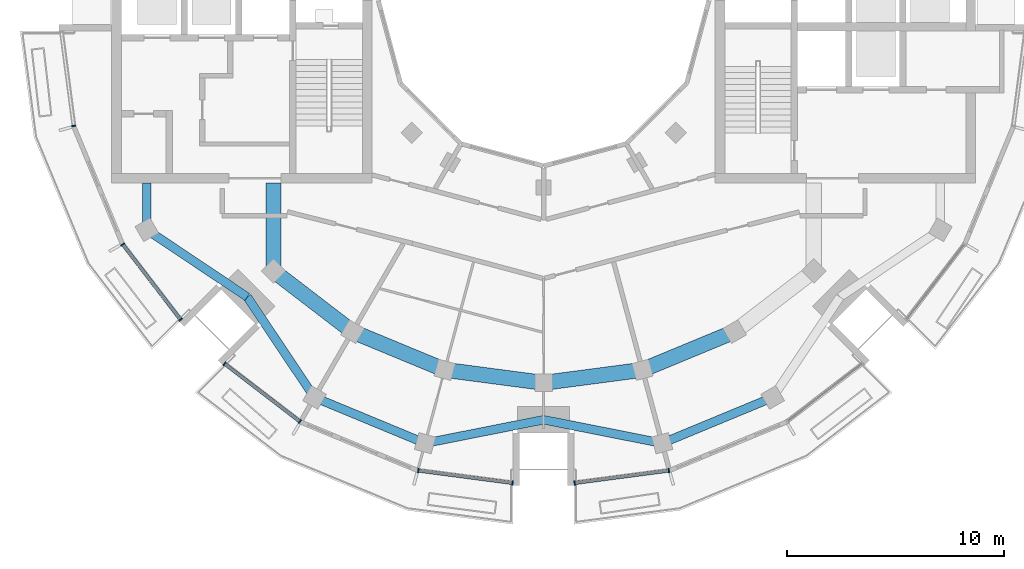
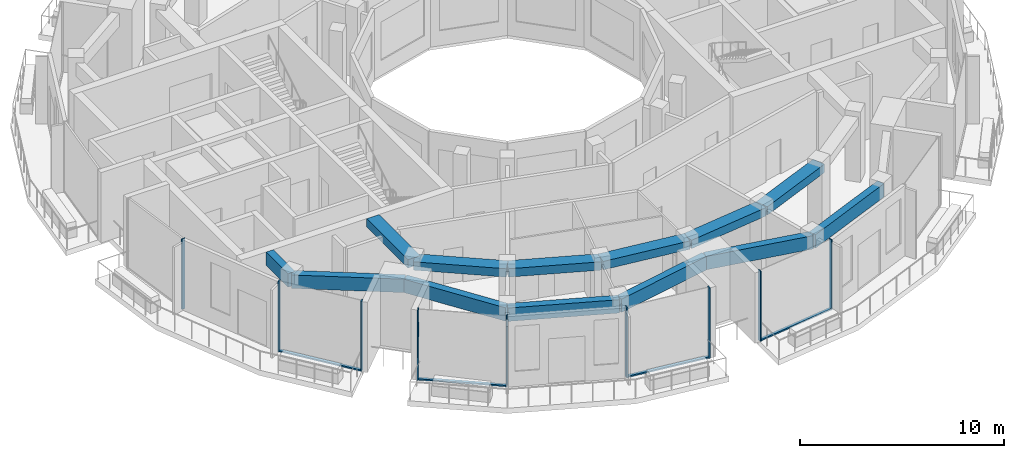
# One storey, part 2 of 16: 13 beams, 13 members, 5 elements without a shape of their own.
"""IFC4 building model written with IfcOpenShell, lengths in metres."""

from ifc_helpers import new_model, si_unit, direction, frame, origin, origin_2d, place, context, subcontext, project, spatial, rectangle, extrude, material, layer, layer_set, material_profile, profile_set, type_object, element, aggregate, save


model = new_model("IFC4")

# Units and contexts
model_context = context("Model", 3, precision=1e-05, world=origin(), true_north=direction((0.0, 1.0)))
body_context = subcontext(model_context, "Body", "Model", "MODEL_VIEW")
ifc_project = project(units=[si_unit("LENGTHUNIT", "METRE"), si_unit("AREAUNIT", "SQUARE_METRE"), si_unit("VOLUMEUNIT", "CUBIC_METRE"), si_unit("PLANEANGLEUNIT", "RADIAN"), si_unit("MASSUNIT", "GRAM", prefix="KILO")], contexts=[model_context])

# Site, building, storey
site_placement = place(None, origin())
site = spatial("IfcSite", under=ifc_project, at=site_placement, CompositionType="ELEMENT")
building_placement = place(site_placement, origin())
building = spatial("IfcBuilding", under=site, at=building_placement, Name="Torre Brocal", CompositionType="ELEMENT")
storey_placement = place(building_placement, frame((0.0, 0.0, 292.5)))
storey = spatial("IfcBuildingStorey", under=building, at=storey_placement, Name="L67", CompositionType="ELEMENT", Elevation=292.5)

# Curtain wall, members
ifc_material_1 = material(Name="Aluminium and glass", Category="aluminium")
ifc_layer_1 = layer(ifc_material_1, 0.199951171875)
ifc_layer_set_1 = layer_set([ifc_layer_1], Name="Aluminium and glass")
curtain_wall_type_1 = type_object("IfcCurtainWallType", Name="CW-1 CURTAIN WALL 4200 HIGH", PredefinedType="NOTDEFINED", material=ifc_layer_set_1)
curtain_wall_1_placement = place(storey_placement, origin())
curtain_wall_1 = element("IfcCurtainWall", 1, at=curtain_wall_1_placement, inside=storey, type_object=curtain_wall_type_1, Name="CW-1 RUN 15", PredefinedType="NOTDEFINED")
ifc_material_2 = material(Name="Aluminium, dark anodised", Category="aluminium")
ifc_material_profile_1 = material_profile(ifc_material_2, rectangle(XDim=0.199951171875, YDim=0.06005859375, at=origin_2d()), Name="CW-1 MULLION 60X200")
ifc_profile_set_1 = profile_set([ifc_material_profile_1], Name="Aluminium, dark anodised")
member_type_1 = type_object("IfcMemberType", Name="CW-1 MULLION 60X200", PredefinedType="MULLION", material=ifc_profile_set_1)
member_1_placement = place(storey_placement, frame((60.6201171875, 63.776611328125, 0.0), z_axis=(0.0, 0.0, 1.0), x_axis=(0.793353340249, 0.608761429064, 0.0)))
member_1 = element("IfcMember", 2, at=member_1_placement, type_object=member_type_1, Name="CW1-5 mullion 1", PredefinedType="MULLION", context=body_context, shape_type="SweptSolid", body=[
    extrude(rectangle(XDim=0.199951171875, YDim=0.06005859375, at=origin_2d()), origin(), (0.0, 0.0, 1.0), 4.199951171875),
])
member_2_placement = place(storey_placement, frame((63.283447265625, 60.305419921875, 0.0), z_axis=(0.0, 0.0, 1.0), x_axis=(0.793353340249, 0.608761429064, 0.0)))
member_2 = element("IfcMember", 3, at=member_2_placement, type_object=member_type_1, Name="CW1-5 mullion 2", PredefinedType="MULLION", context=body_context, shape_type="SweptSolid", body=[
    extrude(rectangle(XDim=0.199951171875, YDim=0.06005859375, at=origin_2d()), origin(), (0.0, 0.0, 1.0), 4.199951171875),
])

curtain_wall_2_placement = place(storey_placement, origin())
curtain_wall_2 = element("IfcCurtainWall", 4, at=curtain_wall_2_placement, inside=storey, type_object=curtain_wall_type_1, Name="CW-1 RUN 16", PredefinedType="NOTDEFINED")
member_3_placement = place(storey_placement, frame((65.305419921875, 58.283447265625, 0.0), z_axis=(0.0, 0.0, 1.0), x_axis=(0.608761429064, 0.793353340249, 0.0)))
member_3 = element("IfcMember", 5, at=member_3_placement, type_object=member_type_1, Name="CW1-5 mullion 1", PredefinedType="MULLION", context=body_context, shape_type="SweptSolid", body=[
    extrude(rectangle(XDim=0.199951171875, YDim=0.06005859375, at=origin_2d()), origin(), (0.0, 0.0, 1.0), 4.199951171875),
])
member_4_placement = place(storey_placement, frame((68.776611328125, 55.6201171875, 0.0), z_axis=(0.0, 0.0, 1.0), x_axis=(0.608761429064, 0.793353340249, 0.0)))
member_4 = element("IfcMember", 6, at=member_4_placement, type_object=member_type_1, Name="CW1-5 mullion 2", PredefinedType="MULLION", context=body_context, shape_type="SweptSolid", body=[
    extrude(rectangle(XDim=0.199951171875, YDim=0.06005859375, at=origin_2d()), origin(), (0.0, 0.0, 1.0), 4.199951171875),
])

curtain_wall_3_placement = place(storey_placement, origin())
curtain_wall_3 = element("IfcCurtainWall", 7, at=curtain_wall_3_placement, inside=storey, type_object=curtain_wall_type_1, Name="CW-1 RUN 18", PredefinedType="NOTDEFINED")
member_5_placement = place(storey_placement, frame((74.232421875, 53.360107421875, 0.0), z_axis=(0.0, 0.0, 1.0), x_axis=(0.13052619222, 0.991444861374, 0.0)))
member_5 = element("IfcMember", 8, at=member_5_placement, type_object=member_type_1, Name="CW1-5 mullion 1", PredefinedType="MULLION", context=body_context, shape_type="SweptSolid", body=[
    extrude(rectangle(XDim=0.199951171875, YDim=0.06005859375, at=origin_2d()), origin(), (0.0, 0.0, 1.0), 4.199951171875),
])
member_6_placement = place(storey_placement, frame((78.5703125, 52.7890625, 0.0), z_axis=(0.0, 0.0, 1.0), x_axis=(0.13052619222, 0.991444861374, 0.0)))
member_6 = element("IfcMember", 9, at=member_6_placement, type_object=member_type_1, Name="CW1-5 mullion 2", PredefinedType="MULLION", context=body_context, shape_type="SweptSolid", body=[
    extrude(rectangle(XDim=0.199951171875, YDim=0.06005859375, at=origin_2d()), origin(), (0.0, 0.0, 1.0), 4.199951171875),
])

curtain_wall_4_placement = place(storey_placement, origin())
curtain_wall_4 = element("IfcCurtainWall", 10, at=curtain_wall_4_placement, inside=storey, type_object=curtain_wall_type_1, Name="CW-1 RUN 19", PredefinedType="NOTDEFINED")
member_7_placement = place(storey_placement, frame((81.4296875, 52.7890625, 0.0), z_axis=(0.0, 0.0, 1.0), x_axis=(-0.13052619222, 0.991444861374, 0.0)))
member_7 = element("IfcMember", 11, at=member_7_placement, type_object=member_type_1, Name="CW1-5 mullion 1", PredefinedType="MULLION", context=body_context, shape_type="SweptSolid", body=[
    extrude(rectangle(XDim=0.199951171875, YDim=0.06005859375, at=origin_2d()), origin(), (0.0, 0.0, 1.0), 4.199951171875),
])
member_8_placement = place(storey_placement, frame((85.767578125, 53.360107421875, 0.0), z_axis=(0.0, 0.0, 1.0), x_axis=(-0.13052619222, 0.991444861374, 0.0)))
member_8 = element("IfcMember", 12, at=member_8_placement, type_object=member_type_1, Name="CW1-5 mullion 2", PredefinedType="MULLION", context=body_context, shape_type="SweptSolid", body=[
    extrude(rectangle(XDim=0.199951171875, YDim=0.06005859375, at=origin_2d()), origin(), (0.0, 0.0, 1.0), 4.199951171875),
])

# Member
ifc_material_3 = material(Name="Aluminium, dark anodised", Category="aluminium")
ifc_material_profile_2 = material_profile(ifc_material_3, rectangle(XDim=0.159912109375, YDim=0.080078125, at=origin_2d()), Name="CW-1 TRANSOM 160X80")
ifc_profile_set_2 = profile_set([ifc_material_profile_2], Name="Aluminium, dark anodised")
member_type_2 = type_object("IfcMemberType", Name="CW-1 TRANSOM 160X80", PredefinedType="USERDEFINED", material=ifc_profile_set_2)
member_9_placement = place(storey_placement, frame((60.63818359375, 63.7529296875, 0.0400390625), z_axis=(0.608788976677, -0.793332201462, 0.0), x_axis=(0.793332201462, 0.608788976677, 0.0)))
member_9 = element("IfcMember", 13, at=member_9_placement, type_object=member_type_2, Name="CW1-5 transom 1.1", ObjectType="TRANSOM", PredefinedType="USERDEFINED", context=body_context, shape_type="SweptSolid", body=[
    extrude(rectangle(XDim=0.159912109375, YDim=0.080078125, at=origin_2d()), origin(), (0.0, 0.0, 1.0), 4.3154296875),
])

aggregate(curtain_wall_1, [member_1, member_2, member_9])

member_10_placement = place(storey_placement, frame((65.329345703125, 58.265380859375, 0.0400390625), z_axis=(0.793332201462, -0.608788976677, 0.0), x_axis=(0.608788976677, 0.793332201462, 0.0)))
member_10 = element("IfcMember", 14, at=member_10_placement, type_object=member_type_2, Name="CW1-5 transom 1.1", ObjectType="TRANSOM", PredefinedType="USERDEFINED", context=body_context, shape_type="SweptSolid", body=[
    extrude(rectangle(XDim=0.159912109375, YDim=0.080078125, at=origin_2d()), origin(), (0.0, 0.0, 1.0), 4.3154296875),
])

aggregate(curtain_wall_2, [member_3, member_4, member_10])

member_11_placement = place(storey_placement, frame((74.26220703125, 53.356201171875, 0.0400390625), z_axis=(0.991445435136, -0.130521833991, 0.0), x_axis=(0.130521833991, 0.991445435136, 0.0)))
member_11 = element("IfcMember", 15, at=member_11_placement, type_object=member_type_2, Name="CW1-5 transom 1.1", ObjectType="TRANSOM", PredefinedType="USERDEFINED", context=body_context, shape_type="SweptSolid", body=[
    extrude(rectangle(XDim=0.159912109375, YDim=0.080078125, at=origin_2d()), origin(), (0.0, 0.0, 1.0), 4.315185546875),
])

aggregate(curtain_wall_3, [member_5, member_6, member_11])

member_12_placement = place(storey_placement, frame((81.45947265625, 52.79296875, 0.0400390625), z_axis=(0.991445435136, 0.130521833991, 0.0), x_axis=(-0.130521833991, 0.991445435136, 0.0)))
member_12 = element("IfcMember", 16, at=member_12_placement, type_object=member_type_2, Name="CW1-5 transom 1.1", ObjectType="TRANSOM", PredefinedType="USERDEFINED", context=body_context, shape_type="SweptSolid", body=[
    extrude(rectangle(XDim=0.159912109375, YDim=0.080078125, at=origin_2d()), origin(), (0.0, 0.0, 1.0), 4.315185546875),
])

aggregate(curtain_wall_4, [member_7, member_8, member_12])

# Curtain wall, member
ifc_material_4 = material(Name="Aluminium and glass", Category="aluminium")
ifc_layer_2 = layer(ifc_material_4, 0.199951171875)
ifc_layer_set_2 = layer_set([ifc_layer_2], Name="Aluminium and glass")
curtain_wall_type_2 = type_object("IfcCurtainWallType", Name="CW-1B CURTAIN WALL 4200 HIGH", PredefinedType="NOTDEFINED", material=ifc_layer_set_2)
curtain_wall_5_placement = place(storey_placement, origin())
curtain_wall_5 = element("IfcCurtainWall", 17, at=curtain_wall_5_placement, inside=storey, type_object=curtain_wall_type_2, Name="CW-1B RUN 13", PredefinedType="NOTDEFINED")
ifc_material_5 = material(Name="Aluminium, dark anodised", Category="aluminium")
ifc_material_profile_3 = material_profile(ifc_material_5, rectangle(XDim=0.199951171875, YDim=0.06005859375, at=origin_2d()), Name="CW-1B MULLION 60X200")
ifc_profile_set_3 = profile_set([ifc_material_profile_3], Name="Aluminium, dark anodised")
member_type_3 = type_object("IfcMemberType", Name="CW-1B MULLION 60X200", PredefinedType="MULLION", material=ifc_profile_set_3)
member_13_placement = place(storey_placement, frame((58.360107421875, 69.232421875, 0.0), z_axis=(0.0, 0.0, 1.0), x_axis=(0.991444861374, 0.13052619222, 0.0)))
member_13 = element("IfcMember", 18, at=member_13_placement, type_object=member_type_3, Name="CW1B-5 mullion 2", PredefinedType="MULLION", context=body_context, shape_type="SweptSolid", body=[
    extrude(rectangle(XDim=0.199951171875, YDim=0.06005859375, at=origin_2d()), origin(), (0.0, 0.0, 1.0), 4.199951171875),
])
aggregate(curtain_wall_5, [member_13])

# Beams
ifc_material_6 = material(Name="Concrete C50", Category="concrete")
ifc_material_profile_4 = material_profile(ifc_material_6, rectangle(XDim=0.699951171875, YDim=0.5, at=origin_2d()), Name="RC 700X500")
ifc_profile_set_4 = profile_set([ifc_material_profile_4], Name="Concrete C50")
beam_type_1 = type_object("IfcBeamType", Name="RC BEAM 700X500 C50 TOP 3880", PredefinedType="BEAM", material=ifc_profile_set_4)
beam_1_placement = place(storey_placement, frame((67.554931640625, 62.554931640625, 3.6298828125), z_axis=(0.0, 1.0, 0.0), x_axis=(-1.0, 0.0, 0.0)))
element("IfcBeam", 19, at=beam_1_placement, inside=storey, type_object=beam_type_1, Name="Beam BT-37", PredefinedType="BEAM", context=body_context, shape_type="SweptSolid", body=[
    extrude(rectangle(XDim=0.699951171875, YDim=0.5, at=origin_2d()), origin(), (0.0, 0.0, 1.0), 4.045166015625),
])
beam_2_placement = place(storey_placement, frame((67.554931640625, 62.554931640625, 3.6298828125), z_axis=(0.793358265959, -0.6087550097, 0.0), x_axis=(0.6087550097, 0.793358265959, 0.0)))
element("IfcBeam", 20, at=beam_2_placement, inside=storey, type_object=beam_type_1, Name="Beam BT-37", PredefinedType="BEAM", context=body_context, shape_type="SweptSolid", body=[
    extrude(rectangle(XDim=0.699951171875, YDim=0.5, at=origin_2d()), origin(), (0.0, 0.0, 1.0), 4.594482421875),
])
beam_3_placement = place(storey_placement, frame((71.199951171875, 59.758056640625, 3.6298828125), z_axis=(0.923878240166, -0.382686552348, 0.0), x_axis=(0.382686552348, 0.923878240166, 0.0)))
element("IfcBeam", 21, at=beam_3_placement, inside=storey, type_object=beam_type_1, Name="Beam BT-37", PredefinedType="BEAM", context=body_context, shape_type="SweptSolid", body=[
    extrude(rectangle(XDim=0.699951171875, YDim=0.5, at=origin_2d()), origin(), (0.0, 0.0, 1.0), 4.5947265625),
])
for number, where, z_axis, x_axis, name in (
    (22, (75.44482421875, 57.999755859375, 3.6298828125), (0.991440544449, -0.130558978332, 0.0), (0.130558978332, 0.991440544449, 0.0), "Beam BT-37"),
    (23, (80.0, 57.39990234375, 3.6298828125), (0.991440544449, 0.130558978332, 0.0), (-0.130558978332, 0.991440544449, 0.0), "Beam BT-37"),
):
    element("IfcBeam", number, at=place(storey_placement, frame(where, z_axis=z_axis, x_axis=x_axis)), inside=storey, type_object=beam_type_1, Name=name, PredefinedType="BEAM", context=body_context, shape_type="SweptSolid", body=[
        extrude(rectangle(XDim=0.699951171875, YDim=0.5, at=origin_2d()), origin(), (0.0, 0.0, 1.0), 4.594482421875),
    ])
beam_4_placement = place(storey_placement, frame((84.55517578125, 57.999755859375, 3.6298828125), z_axis=(0.923878240166, 0.382686552348, 0.0), x_axis=(-0.382686552348, 0.923878240166, 0.0)))
element("IfcBeam", 24, at=beam_4_placement, inside=storey, type_object=beam_type_1, Name="Beam BT-37", PredefinedType="BEAM", context=body_context, shape_type="SweptSolid", body=[
    extrude(rectangle(XDim=0.699951171875, YDim=0.5, at=origin_2d()), origin(), (0.0, 0.0, 1.0), 4.5947265625),
])
ifc_material_7 = material(Name="Concrete C50", Category="concrete")
ifc_material_profile_5 = material_profile(ifc_material_7, rectangle(XDim=0.39990234375, YDim=0.800048828125, at=origin_2d()), Name="RC 400X800")
ifc_profile_set_5 = profile_set([ifc_material_profile_5], Name="Concrete C50")
beam_type_2 = type_object("IfcBeamType", Name="RC SPANDREL BEAM 400X800 C50 TOP 3880", PredefinedType="SPANDREL", material=ifc_profile_set_5)
beam_5_placement = place(storey_placement, frame((61.726806640625, 64.449951171875, 3.47998046875), z_axis=(0.0, 1.0, 0.0), x_axis=(-1.0, 0.0, 0.0)))
element("IfcBeam", 25, at=beam_5_placement, inside=storey, type_object=beam_type_2, Name="Beam BT-47", PredefinedType="SPANDREL", context=body_context, shape_type="SweptSolid", body=[
    extrude(rectangle(XDim=0.39990234375, YDim=0.800048828125, at=origin_2d()), origin(), (0.0, 0.0, 1.0), 2.150146484375),
])
for number, where, z_axis, x_axis, name in (
    (26, (61.726806640625, 64.449951171875, 3.47998046875), (0.830955689206, -0.556338604247, 0.0), (0.556338604247, 0.830955689206, 0.0), "Beam BT-47"),
    (27, (66.352783203125, 61.352783203125, 3.47998046875), (0.556338604247, -0.830955689206, 0.0), (0.830955689206, 0.556338604247, 0.0), "Beam BT-47"),
):
    element("IfcBeam", number, at=place(storey_placement, frame(where, z_axis=z_axis, x_axis=x_axis)), inside=storey, type_object=beam_type_2, Name=name, PredefinedType="SPANDREL", context=body_context, shape_type="SweptSolid", body=[
        extrude(rectangle(XDim=0.39990234375, YDim=0.800048828125, at=origin_2d()), origin(), (0.0, 0.0, 1.0), 5.567138671875),
    ])
beam_6_placement = place(storey_placement, frame((69.449951171875, 56.726806640625, 3.47998046875), z_axis=(0.923877456038, -0.382688445377, 0.0), x_axis=(0.382688445377, 0.923877456038, 0.0)))
element("IfcBeam", 28, at=beam_6_placement, inside=storey, type_object=beam_type_2, Name="Beam BT-47", PredefinedType="SPANDREL", context=body_context, shape_type="SweptSolid", body=[
    extrude(rectangle(XDim=0.39990234375, YDim=0.800048828125, at=origin_2d()), origin(), (0.0, 0.0, 1.0), 5.508056640625),
])
for number, where, z_axis, x_axis, name in (
    (29, (74.538818359375, 54.618896484375, 3.47998046875), (0.980965024419, 0.194184502129, 0.0), (-0.194184502129, 0.980965024419, 0.0), "Beam BT-47"),
    (30, (80.0, 55.699951171875, 3.47998046875), (0.980965024419, -0.194184502129, 0.0), (0.194184502129, 0.980965024419, 0.0), "Beam BT-47"),
):
    element("IfcBeam", number, at=place(storey_placement, frame(where, z_axis=z_axis, x_axis=x_axis)), inside=storey, type_object=beam_type_2, Name=name, PredefinedType="SPANDREL", context=body_context, shape_type="SweptSolid", body=[
        extrude(rectangle(XDim=0.39990234375, YDim=0.800048828125, at=origin_2d()), origin(), (0.0, 0.0, 1.0), 5.567138671875),
    ])
beam_7_placement = place(storey_placement, frame((85.461181640625, 54.618896484375, 3.47998046875), z_axis=(0.923877456038, 0.382688445377, 0.0), x_axis=(-0.382688445377, 0.923877456038, 0.0)))
element("IfcBeam", 31, at=beam_7_placement, inside=storey, type_object=beam_type_2, Name="Beam BT-47", PredefinedType="SPANDREL", context=body_context, shape_type="SweptSolid", body=[
    extrude(rectangle(XDim=0.39990234375, YDim=0.800048828125, at=origin_2d()), origin(), (0.0, 0.0, 1.0), 5.508056640625),
])

save(model, "model.ifc")
